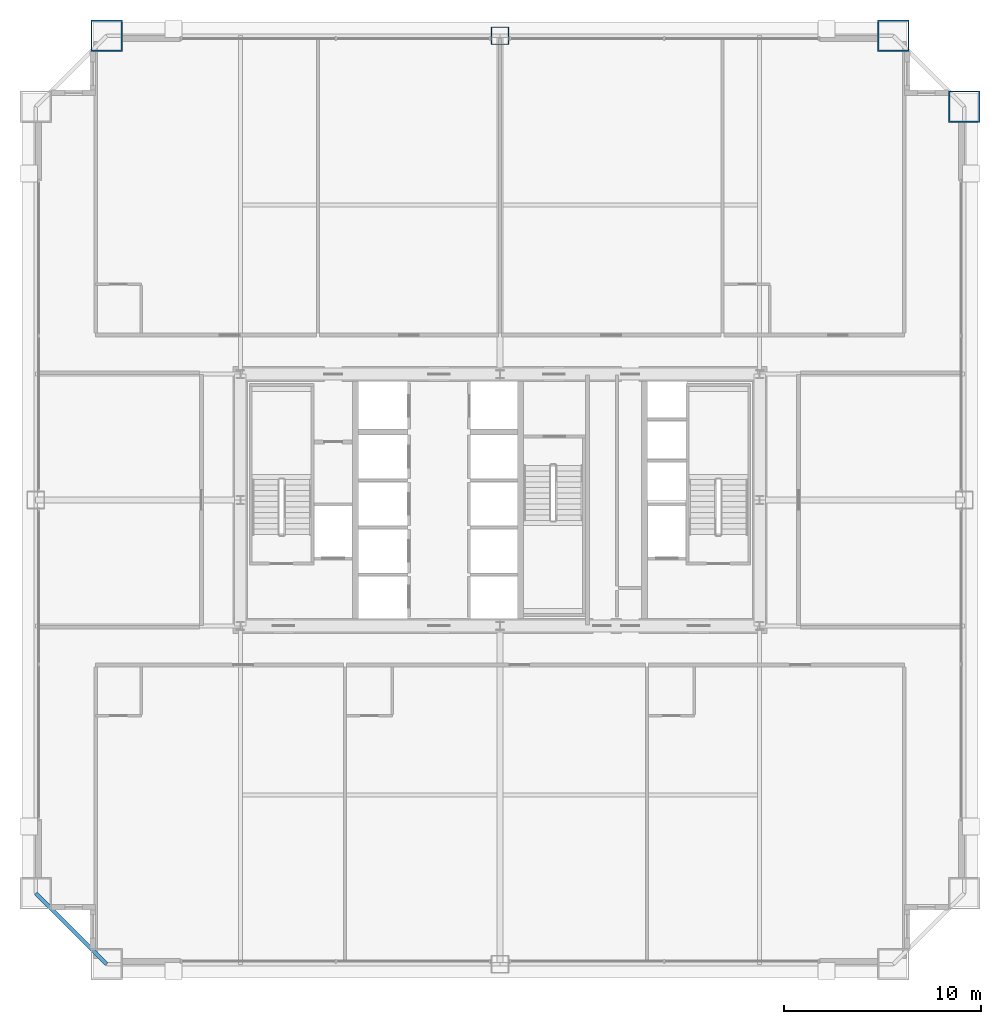
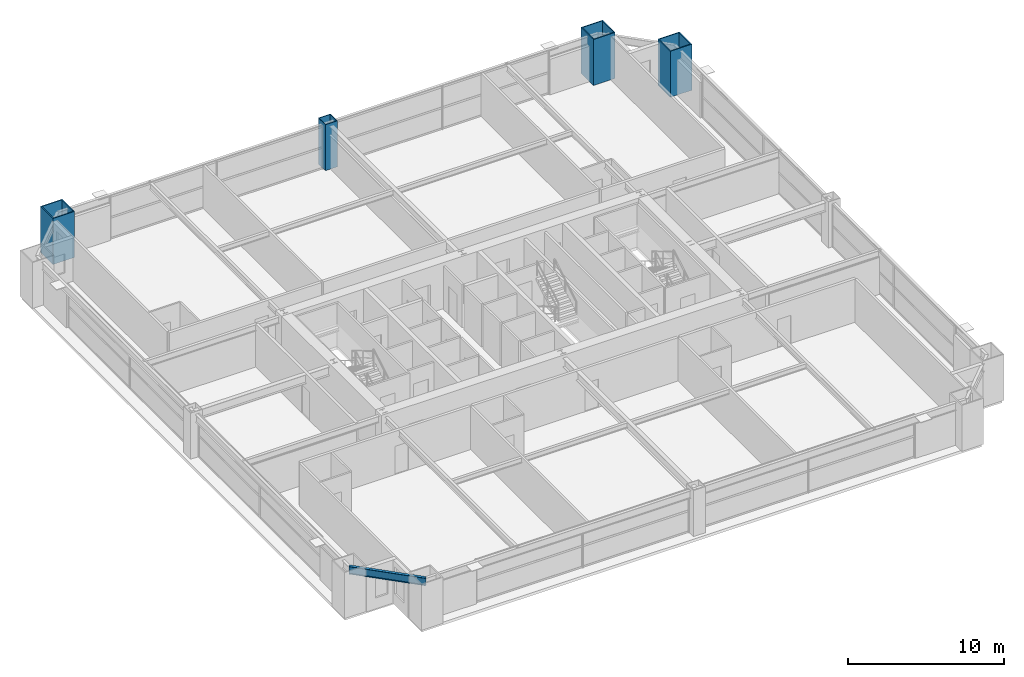
# One storey, part 2 of 37: 4 columns, 1 beam.
"""IFC4 building model written with IfcOpenShell, lengths in metres."""

from ifc_helpers import new_model, si_unit, direction, frame, origin, origin_2d, place, context, subcontext, project, spatial, hollow_rectangle, i_section, extrude, source, transform, mapped, material, material_profile, profile_set, type_object, element, save


model = new_model("IFC4")

# Units and contexts
model_context = context("Model", 3, precision=1e-05, world=origin(), true_north=direction((0.0, 1.0)))
body_context = subcontext(model_context, "Body", "Model", "MODEL_VIEW")
ifc_project = project(units=[si_unit("LENGTHUNIT", "METRE"), si_unit("AREAUNIT", "SQUARE_METRE"), si_unit("VOLUMEUNIT", "CUBIC_METRE"), si_unit("PLANEANGLEUNIT", "RADIAN"), si_unit("MASSUNIT", "GRAM", prefix="KILO"), si_unit("THERMODYNAMICTEMPERATUREUNIT", "KELVIN"), si_unit("POWERUNIT", "WATT")], contexts=[model_context])

# Site, building, storey
site_placement = place(None, origin())
site = spatial("IfcSite", under=ifc_project, at=site_placement, CompositionType="ELEMENT")
building_placement = place(site_placement, origin())
building = spatial("IfcBuilding", under=site, at=building_placement, Name="Yuzanri Waterfront Tower", CompositionType="ELEMENT")
storey_placement = place(building_placement, frame((0.0, 0.0, 104.60009765625)))
storey = spatial("IfcBuildingStorey", under=building, at=storey_placement, Name="L27", CompositionType="ELEMENT", Elevation=104.60009765625)

# Columns
ifc_material_1 = material(Name="Steel Q390GJC", Category="steel")
ifc_material_profile_1 = material_profile(ifc_material_1, hollow_rectangle(XDim=0.89990234375, YDim=0.89990234375, WallThickness=0.0419921875, at=origin_2d()), Name="RHS 900x900x42")
ifc_profile_set_1 = profile_set([ifc_material_profile_1], Name="Steel Q390GJC")
column_type_1 = type_object("IfcColumnType", Name="Frame Column Q390GJC RHS 900x900x42", PredefinedType="COLUMN", material=ifc_profile_set_1)
shared_shape_1 = source(origin(), body_context, "Body", "SweptSolid", [
    extrude(hollow_rectangle(XDim=0.89990234375, YDim=0.89990234375, WallThickness=0.0419921875, at=origin_2d()), origin(), (0.0, 0.0, 1.0), 3.599853515625),
])
column_placement = place(storey_placement, frame((37.0, 49.39990234375, 0.0), z_axis=(0.0, 0.0, 1.0), x_axis=(1.0, 0.0, 0.0)))
element("IfcColumn", 1, at=column_placement, inside=storey, type_object=column_type_1, Name="L27 Perimeter Frame Column N2", PredefinedType="COLUMN", context=body_context, shape_type="MappedRepresentation", body=[
    mapped(shared_shape_1, transform((0.0, 0.0, 0.0), scale=1.0)),
])
ifc_material_2 = material(Name="Steel Q420GJC", Category="steel")
ifc_material_profile_2 = material_profile(ifc_material_2, hollow_rectangle(XDim=1.60009765625, YDim=1.60009765625, WallThickness=0.070068359375, at=origin_2d()), Name="RHS 1600x1600x70")
ifc_profile_set_2 = profile_set([ifc_material_profile_2], Name="Steel Q420GJC")
column_type_2 = type_object("IfcColumnType", Name="Mega Column Q420GJC RHS 1600x1600x70", PredefinedType="COLUMN", material=ifc_profile_set_2)
shared_shape_2 = source(origin(), body_context, "Body", "SweptSolid", [
    extrude(hollow_rectangle(XDim=1.60009765625, YDim=1.60009765625, WallThickness=0.070068359375, at=origin_2d()), origin(), (0.0, 0.0, 1.0), 3.599853515625),
])
for number, where, z_axis, x_axis, name in (
    (2, (17.0, 49.39990234375, 0.0), (0.0, 0.0, 1.0), (1.0, 0.0, 0.0), "L27 Perimeter Mega Column N1"),
    (3, (57.0, 49.39990234375, 0.0), (0.0, 0.0, 1.0), (1.0, 0.0, 0.0), "L27 Perimeter Mega Column N3"),
    (4, (60.60009765625, 45.800048828125, 0.0), (0.0, 0.0, 1.0), (1.0, 0.0, 0.0), "L27 Perimeter Mega Column E3"),
):
    element("IfcColumn", number, at=place(storey_placement, frame(where, z_axis=z_axis, x_axis=x_axis)), inside=storey, type_object=column_type_2, Name=name, PredefinedType="COLUMN", context=body_context, shape_type="MappedRepresentation", body=[
        mapped(shared_shape_2, transform((0.0, 0.0, 0.0), scale=1.0)),
    ])

# Beam
ifc_material_3 = material(Name="Steel Q355B", Category="steel")
ifc_material_profile_3 = material_profile(ifc_material_3, i_section(OverallWidth=0.199951171875, OverallDepth=0.60009765625, WebThickness=0.010986328125, FlangeThickness=0.01708984375, at=origin_2d()), Name="HN 600x200x11x17")
ifc_profile_set_3 = profile_set([ifc_material_profile_3], Name="Steel Q355B")
beam_type = type_object("IfcBeamType", Name="Perimeter Spandrel Q355B HN 600x200", PredefinedType="SPANDREL", material=ifc_profile_set_3)
shared_shape_3 = source(origin(), body_context, "Body", "SweptSolid", [
    extrude(i_section(OverallWidth=0.199951171875, OverallDepth=0.60009765625, WebThickness=0.010986328125, FlangeThickness=0.01708984375, at=origin_2d()), origin(), (0.0, 0.0, 1.0), 5.09130859375),
])
beam_placement = place(storey_placement, frame((13.39990234375, 5.800048828125, 3.079833984375), z_axis=(0.707106781187, -0.707106781187, 0.0), x_axis=(0.707106781187, 0.707106781187, 0.0)))
element("IfcBeam", 5, at=beam_placement, inside=storey, type_object=beam_type, Name="L27 Perimeter Spandrel W1-S1", PredefinedType="SPANDREL", context=body_context, shape_type="MappedRepresentation", body=[
    mapped(shared_shape_3, transform((0.0, 0.0, 0.0), scale=1.0)),
])

save(model, "model.ifc")
